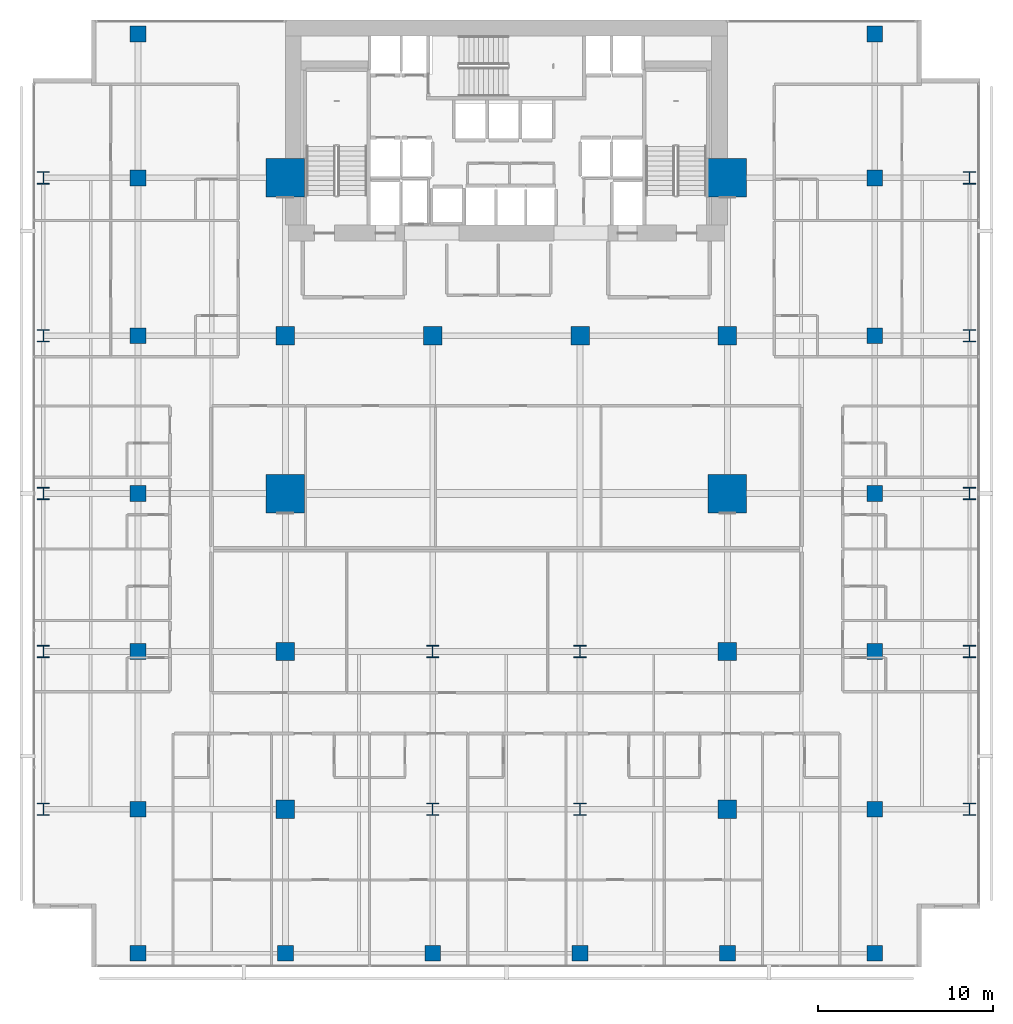
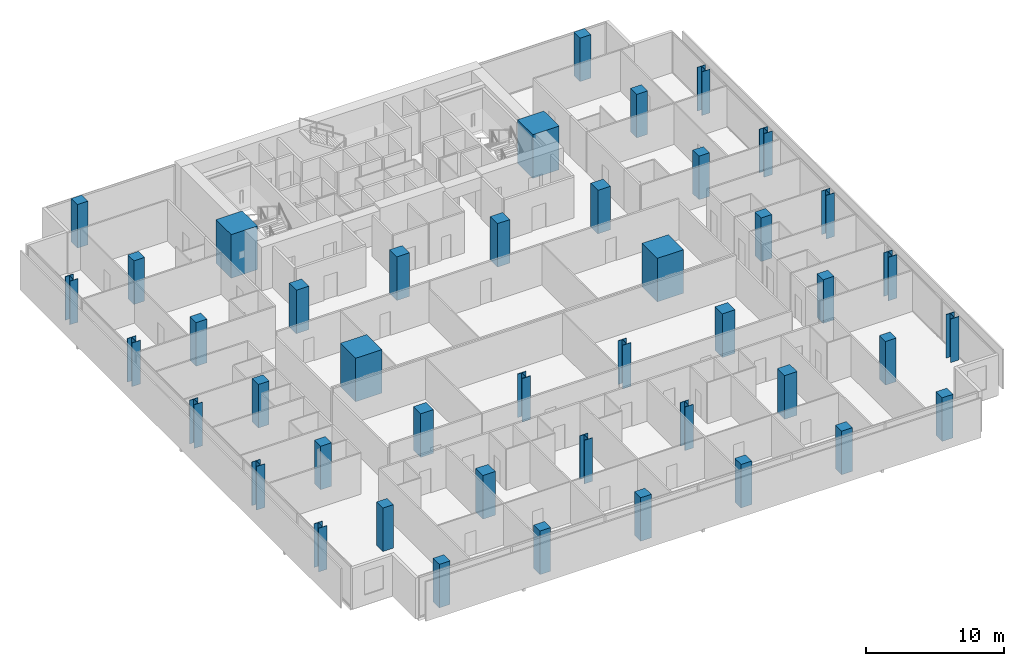
# One storey, part 1 of 41: 44 columns.
"""IFC4 building model written with IfcOpenShell, lengths in metres."""

from ifc_helpers import new_model, si_unit, direction, frame, origin, origin_2d, place, context, subcontext, project, spatial, rectangle, i_section, extrude, material, material_profile, profile_set, type_object, element, save


model = new_model("IFC4")

# Units and contexts
model_context = context("Model", 3, precision=1e-05, world=origin(), true_north=direction((0.0, 1.0)))
body_context = subcontext(model_context, "Body", "Model", "MODEL_VIEW")
ifc_project = project(units=[si_unit("LENGTHUNIT", "METRE"), si_unit("AREAUNIT", "SQUARE_METRE"), si_unit("VOLUMEUNIT", "CUBIC_METRE"), si_unit("PLANEANGLEUNIT", "RADIAN"), si_unit("MASSUNIT", "GRAM", prefix="KILO")], contexts=[model_context])

# Site, building, storey
site_placement = place(None, origin())
site = spatial("IfcSite", under=ifc_project, at=site_placement, CompositionType="ELEMENT")
building_placement = place(site_placement, origin())
building = spatial("IfcBuilding", under=site, at=building_placement, Name="Maruvema Waterfront Hotel and Observation Tower", CompositionType="ELEMENT")
storey_placement = place(building_placement, frame((0.0, 0.0, 61.60009765625)))
storey = spatial("IfcBuildingStorey", under=building, at=storey_placement, Name="L14", CompositionType="ELEMENT", Elevation=61.60009765625)

# Columns
ifc_material_1 = material(Name="Concrete C80/95", Category="concrete")
ifc_material_profile_1 = material_profile(ifc_material_1, rectangle(XDim=2.199951171875, YDim=2.199951171875, at=origin_2d()), Name="MC2200x2200")
ifc_profile_set_1 = profile_set([ifc_material_profile_1], Name="Concrete C80/95")
column_type_1 = type_object("IfcColumnType", Name="Continuous Mega-Column MC2200x2200", PredefinedType="COLUMN", material=ifc_profile_set_1)
for number, where, z_axis, x_axis, name in (
    (1, (25.199951171875, 27.0, 0.0), (0.0, 0.0, 1.0), (1.0, 0.0, 0.0), "L14 Continuous Mega-Column MC-01"),
    (2, (50.39990234375, 27.0, 0.0), (0.0, 0.0, 1.0), (1.0, 0.0, 0.0), "L14 Continuous Mega-Column MC-02"),
    (3, (25.199951171875, 45.0, 0.0), (0.0, 0.0, 1.0), (1.0, 0.0, 0.0), "L14 Continuous Mega-Column MC-03"),
    (4, (50.39990234375, 45.0, 0.0), (0.0, 0.0, 1.0), (1.0, 0.0, 0.0), "L14 Continuous Mega-Column MC-04"),
):
    element("IfcColumn", number, at=place(storey_placement, frame(where, z_axis=z_axis, x_axis=x_axis)), inside=storey, type_object=column_type_1, Name=name, PredefinedType="COLUMN", context=body_context, shape_type="SweptSolid", body=[
        extrude(rectangle(XDim=2.199951171875, YDim=2.199951171875, at=origin_2d()), origin(), (0.0, 0.0, 1.0), 3.849853515625),
    ])
ifc_material_2 = material(Name="Concrete C60/75", Category="concrete")
ifc_material_profile_2 = material_profile(ifc_material_2, rectangle(XDim=1.050048828125, YDim=1.050048828125, at=origin_2d()), Name="RC1050x1050")
ifc_profile_set_2 = profile_set([ifc_material_profile_2], Name="Concrete C60/75")
column_type_2 = type_object("IfcColumnType", Name="Reinforced Concrete Column RC1050x1050", PredefinedType="COLUMN", material=ifc_profile_set_2)
for number, where, z_axis, x_axis, name in (
    (5, (25.199951171875, 36.0, 0.0), (0.0, 0.0, 1.0), (1.0, 0.0, 0.0), "L14 Column C-4E"),
    (6, (33.60009765625, 36.0, 0.0), (0.0, 0.0, 1.0), (1.0, 0.0, 0.0), "L14 Column C-5E"),
    (7, (42.0, 36.0, 0.0), (0.0, 0.0, 1.0), (1.0, 0.0, 0.0), "L14 Column C-6E"),
    (8, (50.39990234375, 36.0, 0.0), (0.0, 0.0, 1.0), (1.0, 0.0, 0.0), "L14 Column C-7E"),
    (9, (25.199951171875, 18.0, 0.0), (0.0, 0.0, 1.0), (1.0, 0.0, 0.0), "L14 Column C-4C"),
    (10, (50.39990234375, 18.0, 0.0), (0.0, 0.0, 1.0), (1.0, 0.0, 0.0), "L14 Column C-7C"),
    (11, (25.199951171875, 9.0, 0.0), (0.0, 0.0, 1.0), (1.0, 0.0, 0.0), "L14 Column C-4B"),
    (12, (50.39990234375, 9.0, 0.0), (0.0, 0.0, 1.0), (1.0, 0.0, 0.0), "L14 Column C-7B"),
):
    element("IfcColumn", number, at=place(storey_placement, frame(where, z_axis=z_axis, x_axis=x_axis)), inside=storey, type_object=column_type_2, Name=name, PredefinedType="COLUMN", context=body_context, shape_type="SweptSolid", body=[
        extrude(rectangle(XDim=1.050048828125, YDim=1.050048828125, at=origin_2d()), origin(), (0.0, 0.0, 1.0), 3.849853515625),
    ])
ifc_material_3 = material(Name="Concrete C60/75", Category="concrete")
ifc_material_profile_3 = material_profile(ifc_material_3, rectangle(XDim=0.89990234375, YDim=0.89990234375, at=origin_2d()), Name="RC900x900")
ifc_profile_set_3 = profile_set([ifc_material_profile_3], Name="Concrete C60/75")
column_type_3 = type_object("IfcColumnType", Name="Reinforced Concrete Column RC900x900", PredefinedType="COLUMN", material=ifc_profile_set_3)
for number, where, z_axis, x_axis, name in (
    (13, (16.800048828125, 9.0, 0.0), (0.0, 0.0, 1.0), (1.0, 0.0, 0.0), "L14 Column C-3Y9"),
    (14, (58.800048828125, 9.0, 0.0), (0.0, 0.0, 1.0), (1.0, 0.0, 0.0), "L14 Column C-8Y9"),
    (15, (16.800048828125, 18.0, 0.0), (0.0, 0.0, 1.0), (1.0, 0.0, 0.0), "L14 Column C-3Y18"),
    (16, (58.800048828125, 18.0, 0.0), (0.0, 0.0, 1.0), (1.0, 0.0, 0.0), "L14 Column C-8Y18"),
    (17, (16.800048828125, 27.0, 0.0), (0.0, 0.0, 1.0), (1.0, 0.0, 0.0), "L14 Column C-3Y27"),
    (18, (58.800048828125, 27.0, 0.0), (0.0, 0.0, 1.0), (1.0, 0.0, 0.0), "L14 Column C-8Y27"),
    (19, (16.800048828125, 36.0, 0.0), (0.0, 0.0, 1.0), (1.0, 0.0, 0.0), "L14 Column C-3Y36"),
    (20, (58.800048828125, 36.0, 0.0), (0.0, 0.0, 1.0), (1.0, 0.0, 0.0), "L14 Column C-8Y36"),
    (21, (16.800048828125, 45.0, 0.0), (0.0, 0.0, 1.0), (1.0, 0.0, 0.0), "L14 Column C-3Y45"),
    (22, (58.800048828125, 45.0, 0.0), (0.0, 0.0, 1.0), (1.0, 0.0, 0.0), "L14 Column C-8Y45"),
    (23, (16.800048828125, 0.800048828125, 0.0), (0.0, 0.0, 1.0), (1.0, 0.0, 0.0), "L14 Column C-3A"),
    (24, (25.199951171875, 0.800048828125, 0.0), (0.0, 0.0, 1.0), (1.0, 0.0, 0.0), "L14 Column C-4A"),
    (25, (33.60009765625, 0.800048828125, 0.0), (0.0, 0.0, 1.0), (1.0, 0.0, 0.0), "L14 Column C-5A"),
    (26, (42.0, 0.800048828125, 0.0), (0.0, 0.0, 1.0), (1.0, 0.0, 0.0), "L14 Column C-6A"),
    (27, (50.39990234375, 0.800048828125, 0.0), (0.0, 0.0, 1.0), (1.0, 0.0, 0.0), "L14 Column C-7A"),
    (28, (58.800048828125, 0.800048828125, 0.0), (0.0, 0.0, 1.0), (1.0, 0.0, 0.0), "L14 Column C-8A"),
    (29, (16.800048828125, 53.199951171875, 0.0), (0.0, 0.0, 1.0), (1.0, 0.0, 0.0), "L14 Column C-3G"),
    (30, (58.800048828125, 53.199951171875, 0.0), (0.0, 0.0, 1.0), (1.0, 0.0, 0.0), "L14 Column C-8G"),
):
    element("IfcColumn", number, at=place(storey_placement, frame(where, z_axis=z_axis, x_axis=x_axis)), inside=storey, type_object=column_type_3, Name=name, PredefinedType="COLUMN", context=body_context, shape_type="SweptSolid", body=[
        extrude(rectangle(XDim=0.89990234375, YDim=0.89990234375, at=origin_2d()), origin(), (0.0, 0.0, 1.0), 3.849853515625),
    ])
ifc_material_4 = material(Name="Steel ABNT NBR 7007 AR 415 (ASTM A572 Grade 50)", Category="steel")
ifc_material_profile_4 = material_profile(ifc_material_4, i_section(OverallWidth=0.699951171875, OverallDepth=0.699951171875, WebThickness=0.028076171875, FlangeThickness=0.0439453125, at=origin_2d()), Name="CVS700x436")
ifc_profile_set_4 = profile_set([ifc_material_profile_4], Name="Steel ABNT NBR 7007 AR 415 (ASTM A572 Grade 50)")
column_type_4 = type_object("IfcColumnType", Name="Structural Steel Column CVS700x436", PredefinedType="COLUMN", material=ifc_profile_set_4)
for number, where, z_axis, x_axis, name in (
    (31, (33.60009765625, 9.0, 0.0), (0.0, 0.0, 1.0), (1.0, 0.0, 0.0), "L14 Column C-5B"),
    (32, (42.0, 9.0, 0.0), (0.0, 0.0, 1.0), (1.0, 0.0, 0.0), "L14 Column C-6B"),
    (33, (33.60009765625, 18.0, 0.0), (0.0, 0.0, 1.0), (1.0, 0.0, 0.0), "L14 Column C-5C"),
    (34, (42.0, 18.0, 0.0), (0.0, 0.0, 1.0), (1.0, 0.0, 0.0), "L14 Column C-6C"),
    (35, (11.39990234375, 9.0, 0.0), (0.0, 0.0, 1.0), (1.0, 0.0, 0.0), "L14 Column C-Z1W9"),
    (36, (64.199951171875, 9.0, 0.0), (0.0, 0.0, 1.0), (1.0, 0.0, 0.0), "L14 Column C-Z1E9"),
    (37, (11.39990234375, 18.0, 0.0), (0.0, 0.0, 1.0), (1.0, 0.0, 0.0), "L14 Column C-Z1W18"),
    (38, (64.199951171875, 18.0, 0.0), (0.0, 0.0, 1.0), (1.0, 0.0, 0.0), "L14 Column C-Z1E18"),
    (39, (11.39990234375, 27.0, 0.0), (0.0, 0.0, 1.0), (1.0, 0.0, 0.0), "L14 Column C-Z1W27"),
    (40, (64.199951171875, 27.0, 0.0), (0.0, 0.0, 1.0), (1.0, 0.0, 0.0), "L14 Column C-Z1E27"),
    (41, (11.39990234375, 36.0, 0.0), (0.0, 0.0, 1.0), (1.0, 0.0, 0.0), "L14 Column C-Z1W36"),
    (42, (64.199951171875, 36.0, 0.0), (0.0, 0.0, 1.0), (1.0, 0.0, 0.0), "L14 Column C-Z1E36"),
    (43, (11.39990234375, 45.0, 0.0), (0.0, 0.0, 1.0), (1.0, 0.0, 0.0), "L14 Column C-Z1W45"),
    (44, (64.199951171875, 45.0, 0.0), (0.0, 0.0, 1.0), (1.0, 0.0, 0.0), "L14 Column C-Z1E45"),
):
    element("IfcColumn", number, at=place(storey_placement, frame(where, z_axis=z_axis, x_axis=x_axis)), inside=storey, type_object=column_type_4, Name=name, PredefinedType="COLUMN", context=body_context, shape_type="SweptSolid", body=[
        extrude(i_section(OverallWidth=0.699951171875, OverallDepth=0.699951171875, WebThickness=0.028076171875, FlangeThickness=0.0439453125, at=origin_2d()), origin(), (0.0, 0.0, 1.0), 3.849853515625),
    ])

save(model, "model.ifc")
